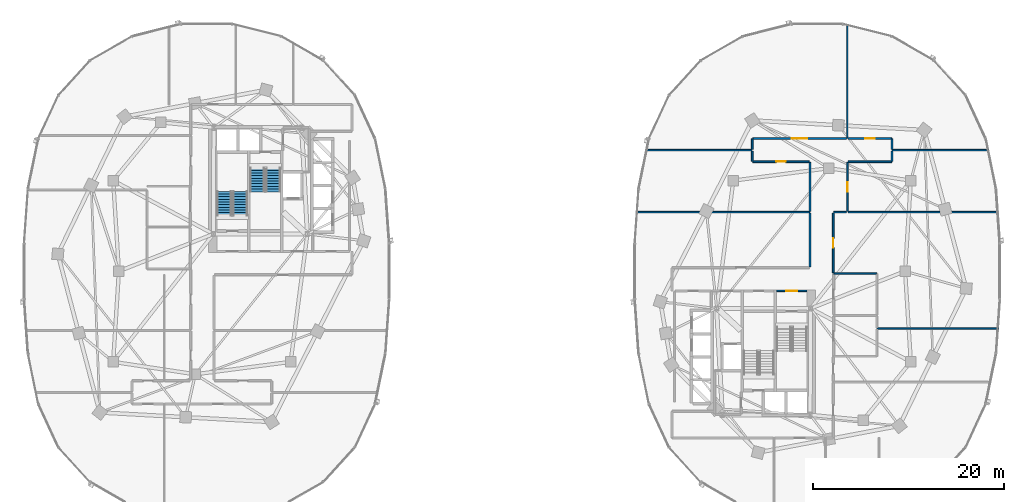
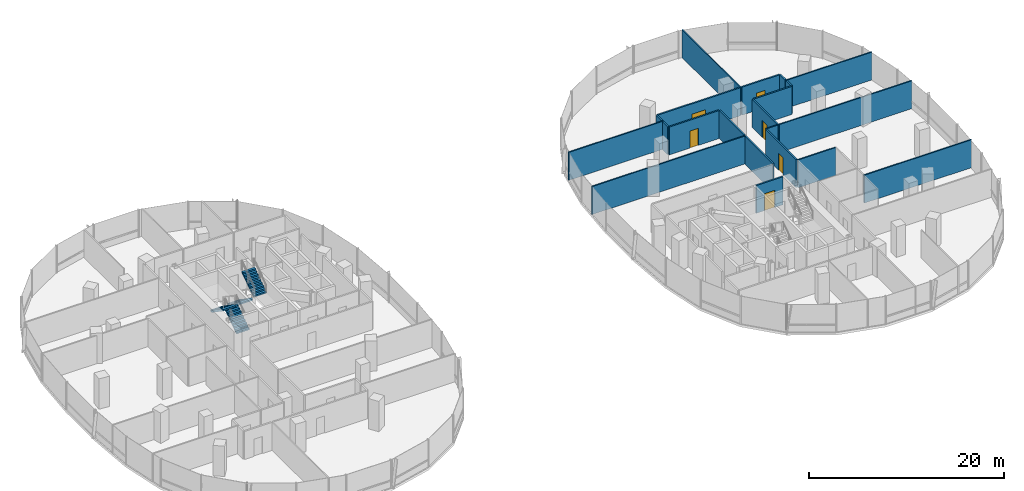
# One storey, part 14 of 22: 21 walls, 6 doors, 4 stair flights, 6 openings, 2 elements without a shape of their own.
"""IFC4 building model written with IfcOpenShell, lengths in metres."""

import ifcopenshell
import ifcopenshell.guid

model = None  # the IFC model being written
_history = None  # IfcOwnerHistory: only IFC2X3 demands one
_inside = {}  # id of a spatial element -> (the spatial element, [elements in it])
_under = {}  # id of a project, library or spatial element -> (it, [spatial elements below it])
_declared = {}  # id of a project -> (the project, [libraries it declares])
_typed = {}  # id of a type object -> (the type object, [elements of that type])
_made_of = {}  # id of a material, layer set ... -> (it, [elements and type objects made of it])


def new_model(schema):
    """Start an empty IFC model of exactly this schema.

    Asked for "IFC4X3", IfcOpenShell would pick the latest addendum, in which some entities
    have other attributes; the version numbers below select the first issue.
    IFC2X3 requires an IfcOwnerHistory on every rooted entity: one is made here for all.
    """
    global model, _history
    if schema == "IFC4X3":
        model = ifcopenshell.file(schema_version=(4, 3, 0, 0))
    else:
        model = ifcopenshell.file(schema=schema)
    _inside.clear()
    _under.clear()
    _declared.clear()
    _typed.clear()
    _made_of.clear()
    _history = None
    if model.schema == "IFC2X3":
        org = make("IfcOrganization", Name="unknown")
        user = make(
            "IfcPersonAndOrganization",
            ThePerson=make("IfcPerson", FamilyName="unknown"),
            TheOrganization=org,
        )
        app = make(
            "IfcApplication",
            ApplicationDeveloper=org,
            Version="unknown",
            ApplicationFullName="unknown",
            ApplicationIdentifier="unknown",
        )
        _history = make(
            "IfcOwnerHistory",
            OwningUser=user,
            OwningApplication=app,
            ChangeAction="ADDED",
            CreationDate=0,
        )
    return model


def make(cls, **values):
    """One entity of the class cls with the attributes given. An attribute that is None is left unset."""
    return model.create_entity(
        cls, **{name: value for name, value in values.items() if value is not None}
    )


def rooted(cls, **values):
    """An entity with a GlobalId (a new one), such as an element, a storey or a relation."""
    return make(cls, GlobalId=ifcopenshell.guid.new(), OwnerHistory=_history, **values)


def si_unit(unit_type, name, prefix=None):
    """IfcSIUnit, for example si_unit("LENGTHUNIT", "METRE", prefix="MILLI")."""
    return make("IfcSIUnit", UnitType=unit_type, Prefix=prefix, Name=name)


def assignment(units):
    """IfcUnitAssignment: the units of a project."""
    return None if units is None else make("IfcUnitAssignment", Units=units)


def point(xyz):
    """IfcCartesianPoint."""
    return None if xyz is None else make("IfcCartesianPoint", Coordinates=xyz)


def direction(xyz):
    """IfcDirection."""
    return None if xyz is None else make("IfcDirection", DirectionRatios=xyz)


def frame(location, z_axis=None, x_axis=None):
    """IfcAxis2Placement3D, a coordinate frame: its origin and axes. An axis left out is left unset."""
    return make(
        "IfcAxis2Placement3D",
        Location=point(location),
        Axis=direction(z_axis),
        RefDirection=direction(x_axis),
    )


def frame_2d(location, x_axis=None):
    """IfcAxis2Placement2D, a coordinate frame in the plane: its origin and x axis."""
    return make(
        "IfcAxis2Placement2D", Location=point(location), RefDirection=direction(x_axis)
    )


def origin():
    """The frame at (0, 0, 0) with its axes left unset."""
    return frame((0.0, 0.0, 0.0))


def place(relative_to, where):
    """IfcLocalPlacement: puts the frame where relative to a parent placement (None: the world)."""
    return make(
        "IfcLocalPlacement", PlacementRelTo=relative_to, RelativePlacement=where
    )


def context(
    kind, dimensions, precision=None, world=None, true_north=None, identifier=None
):
    """IfcGeometricRepresentationContext, for example the 3D "Model" context."""
    return make(
        "IfcGeometricRepresentationContext",
        ContextIdentifier=identifier,
        ContextType=kind,
        CoordinateSpaceDimension=dimensions,
        Precision=precision,
        WorldCoordinateSystem=world,
        TrueNorth=true_north,
    )


def subcontext(parent, identifier, kind, view, scale=None):
    """IfcGeometricRepresentationSubContext, for example "Body" below "Model"."""
    return make(
        "IfcGeometricRepresentationSubContext",
        ContextIdentifier=identifier,
        ContextType=kind,
        ParentContext=parent,
        TargetScale=scale,
        TargetView=view,
    )


def project(units=None, contexts=None):
    """IfcProject with its units and contexts."""
    return rooted(
        "IfcProject",
        Name="project",
        RepresentationContexts=contexts,
        UnitsInContext=assignment(units),
    )


def spatial(cls, under=None, at=None, **own):
    """A site, building, storey or space (cls), placed at a placement, below another one or the project."""
    s = rooted(cls, ObjectPlacement=at, **own)
    if under is not None:
        _under.setdefault(under.id(), (under, []))[1].append(s)
    return s


def polyline(points):
    """IfcPolyline through the points."""
    return make("IfcPolyline", Points=[point(p) for p in points])


def profile(cls, at=None, kind="AREA", **sizes):
    """A parametric profile (cls). Its sizes go by their IFC names, for example OverallWidth=200.0."""
    return make(cls, ProfileType=kind, Position=at, **sizes)


def rectangle(**sizes):
    """IfcRectangleProfileDef."""
    return profile("IfcRectangleProfileDef", **sizes)


def outline(outer, holes=None, kind="AREA"):
    """IfcArbitraryClosedProfileDef: a profile drawn as a closed curve; with holes, ...WithVoids."""
    if holes is None:
        return make("IfcArbitraryClosedProfileDef", ProfileType=kind, OuterCurve=outer)
    return make(
        "IfcArbitraryProfileDefWithVoids",
        ProfileType=kind,
        OuterCurve=outer,
        InnerCurves=holes,
    )


def extrude(swept, where, along, depth):
    """IfcExtrudedAreaSolid: the profile swept, set in the frame where, extruded along a direction by depth."""
    return make(
        "IfcExtrudedAreaSolid",
        SweptArea=swept,
        Position=where,
        ExtrudedDirection=direction(along),
        Depth=depth,
    )


def shape(context_of_items, identifier, shape_type, items):
    """IfcShapeRepresentation: the items that make up one representation, for example the "Body"."""
    return make(
        "IfcShapeRepresentation",
        ContextOfItems=context_of_items,
        RepresentationIdentifier=identifier,
        RepresentationType=shape_type,
        Items=items,
    )


def material(Name=None, Category=None):
    """IfcMaterial."""
    return make("IfcMaterial", Name=Name, Category=Category)


def layer(
    of_material, thickness, ventilated=None, Name=None, Category=None, Priority=None
):
    """IfcMaterialLayer: one layer of a wall or slab, of a material (None: an air gap)."""
    return make(
        "IfcMaterialLayer",
        Material=of_material,
        LayerThickness=thickness,
        IsVentilated=ventilated,
        Name=Name,
        Category=Category,
        Priority=Priority,
    )


def layer_set(layers, Name=None):
    """IfcMaterialLayerSet."""
    return make("IfcMaterialLayerSet", MaterialLayers=layers, LayerSetName=Name)


def made_of(thing, what):
    """Note that an element or type object is made of a material, layer set ...; save() writes the relation."""
    if what is not None:
        _made_of.setdefault(what.id(), (what, []))[1].append(thing)
    return thing


def type_object(cls, material=None, **own):
    """A type object (cls), such as IfcWallType, which elements share."""
    return made_of(rooted(cls, **own), material)


def element(
    cls,
    number,
    at=None,
    inside=None,
    cuts=None,
    type_object=None,
    material=None,
    context=None,
    identifier="Body",
    shape_type=None,
    held_by="IfcProductDefinitionShape",
    body=None,
    shapes=None,
    **own,
):
    """One element of the class cls, such as IfcWall. Its Tag is "e" and its number.

    at: its placement. inside: the storey or other place that contains it. cuts: it is an
    opening in that element (IfcRelVoidsElement). A single representation is given by context,
    identifier, shape_type and body (its items); several are given by shapes. held_by: the class
    of the entity that holds the representations. save() writes the other relations.
    """
    e = rooted(cls, Tag="e%d" % number, ObjectPlacement=at, **own)
    if body is not None:
        shapes = [shape(context, identifier, shape_type, body)]
    if shapes is not None:
        e.Representation = make(held_by, Representations=shapes)
    if inside is not None:
        _inside.setdefault(inside.id(), (inside, []))[1].append(e)
    if cuts is not None:
        rooted(
            "IfcRelVoidsElement", RelatingBuildingElement=cuts, RelatedOpeningElement=e
        )
    if type_object is not None:
        _typed.setdefault(type_object.id(), (type_object, []))[1].append(e)
    return made_of(e, material)


def fill(opening, filler):
    """IfcRelFillsElement: the door or window that sits in an opening."""
    return rooted(
        "IfcRelFillsElement",
        RelatingOpeningElement=opening,
        RelatedBuildingElement=filler,
    )


def aggregate(whole, parts):
    """IfcRelAggregates: a whole, such as a stair, and the parts it consists of."""
    return rooted("IfcRelAggregates", RelatingObject=whole, RelatedObjects=parts)


def save(model, path):
    """Write the relations noted so far, then the file.

    IfcRelAggregates (storeys below a building ...), IfcRelContainedInSpatialStructure (elements
    in a storey), IfcRelDefinesByType, IfcRelAssociatesMaterial and IfcRelDeclares: one each for
    every whole, place, type object, material and project.
    """
    for whole, parts in _under.values():
        aggregate(whole, parts)
    for where, things in _inside.values():
        rooted(
            "IfcRelContainedInSpatialStructure",
            RelatedElements=things,
            RelatingStructure=where,
        )
    for kind, things in _typed.values():
        rooted("IfcRelDefinesByType", RelatedObjects=things, RelatingType=kind)
    for what, things in _made_of.values():
        rooted("IfcRelAssociatesMaterial", RelatedObjects=things, RelatingMaterial=what)
    for by, libraries in _declared.values():
        rooted("IfcRelDeclares", RelatingContext=by, RelatedDefinitions=libraries)
    model.write(path)


model = new_model("IFC4")

# Units and contexts
model_context = context("Model", 3, precision=1e-05, world=origin(), true_north=direction((0.0, 1.0)))
body_context = subcontext(model_context, "Body", "Model", "MODEL_VIEW")
ifc_project = project(units=[si_unit("LENGTHUNIT", "METRE"), si_unit("AREAUNIT", "SQUARE_METRE"), si_unit("VOLUMEUNIT", "CUBIC_METRE"), si_unit("PLANEANGLEUNIT", "RADIAN"), si_unit("MASSUNIT", "GRAM", prefix="KILO"), si_unit("THERMODYNAMICTEMPERATUREUNIT", "KELVIN"), si_unit("POWERUNIT", "WATT")], contexts=[model_context])

# Site, building, storey
site_placement = place(None, origin())
site = spatial("IfcSite", under=ifc_project, at=site_placement, CompositionType="ELEMENT")
building_placement = place(site_placement, origin())
building = spatial("IfcBuilding", under=site, at=building_placement, Name="Cundina Bronze Exchange", CompositionType="ELEMENT")
storey_placement = place(building_placement, frame((0.0, 0.0, 43.0)))
storey = spatial("IfcBuildingStorey", under=building, at=storey_placement, Name="L10", CompositionType="ELEMENT", Elevation=43.0)

# Wall, opening, door
ifc_material_1 = material(Name="Gypsum Fireboard Partition EI120")
ifc_layer_1 = layer(ifc_material_1, 0.179931640625, Name="Gypsum Fireboard Partition EI120")
ifc_layer_set_1 = layer_set([ifc_layer_1], Name="Gypsum Fireboard Partition EI120")
wall_type_1 = type_object("IfcWallType", Name="WL-COR-180", PredefinedType="PARTITIONING", material=ifc_layer_set_1)
wall_1_placement = place(storey_placement, frame((27.739990234375, -2.06005859375, 0.0), z_axis=(0.0, 0.0, 1.0), x_axis=(1.0, 0.0, 0.0)))
wall_1 = element("IfcWall", 1, at=wall_1_placement, inside=storey, type_object=wall_type_1, Name="L10 E Stair Vestibule Exit Wall", PredefinedType="PARTITIONING", context=body_context, shape_type="SweptSolid", body=[
    extrude(rectangle(XDim=3.159912109375, YDim=0.179931640625, at=frame_2d((1.580078125, 0.0))), origin(), (0.0, 0.0, 1.0), 3.5),
])
opening_1_placement = place(wall_1_placement, frame((0.97998046875, 0.0, 0.0)))
opening_1 = element("IfcOpeningElement", 2, at=opening_1_placement, cuts=wall_1, Name="Opening DF-01", PredefinedType="OPENING", context=body_context, shape_type="SweptSolid", body=[
    extrude(rectangle(XDim=1.199951171875, YDim=2.14990234375, at=frame_2d((0.60009765625, 1.074951171875))), frame((0.0, 0.099853515625, 0.0), z_axis=(0.0, -1.0, 0.0), x_axis=(1.0, 0.0, 0.0)), (0.0, 0.0, 1.0), 0.199951171875),
])
ifc_material_2 = material(Name="Steel ASTM A36 Painted", Category="steel")
door_type_1 = type_object("IfcDoorType", Name="DR-FFL-1200", OperationType="NOTDEFINED", PredefinedType="DOOR", material=ifc_material_2)
door_1_placement = place(opening_1_placement, origin())
door_1 = element("IfcDoor", 3, at=door_1_placement, inside=storey, type_object=door_type_1, Name="L10 E Stair Vestibule Door", OperationType="SINGLE_SWING_RIGHT", OverallHeight=2.14990234375, OverallWidth=1.199951171875, PredefinedType="DOOR", context=body_context, shape_type="SweptSolid", body=[
    extrude(rectangle(XDim=1.199951171875, YDim=2.14990234375, at=frame_2d((0.60009765625, 1.074951171875))), frame((0.0, 0.02490234375, 0.0), z_axis=(0.0, -1.0, 0.0), x_axis=(1.0, 0.0, 0.0)), (0.0, 0.0, 1.0), 0.050048828125),
])
fill(opening_1, door_1)

# Wall
wall_2_placement = place(storey_placement, frame((31.22998046875, 6.10009765625, 0.0), z_axis=(0.0, 0.0, 1.0), x_axis=(0.0, -1.0, 0.0)))
element("IfcWall", 4, at=wall_2_placement, inside=storey, type_object=wall_type_1, Name="L10 Interior Partition 082", PredefinedType="PARTITIONING", context=body_context, shape_type="SweptSolid", body=[
    extrude(rectangle(XDim=5.650146484375, YDim=0.179931640625, at=frame_2d((2.8251953125, 0.0))), origin(), (0.0, 0.0, 1.0), 3.5),
])

# Wall, opening, door
wall_3_placement = place(storey_placement, frame((33.669921875, -0.15869140625, 0.0), z_axis=(0.0, 0.0, 1.0), x_axis=(0.0, 1.0, 0.0)))
wall_3 = element("IfcWall", 5, at=wall_3_placement, inside=storey, type_object=wall_type_1, Name="L10 Interior Partition 086", PredefinedType="PARTITIONING", context=body_context, shape_type="SweptSolid", body=[
    extrude(rectangle(XDim=6.2587890625, YDim=0.179931640625, at=frame_2d((3.12939453125, 0.0))), origin(), (0.0, 0.0, 1.0), 3.5),
])
opening_2_placement = place(wall_3_placement, frame((2.62939453125, 0.0, 0.0)))
opening_2 = element("IfcOpeningElement", 6, at=opening_2_placement, cuts=wall_3, Name="Opening DO-01", PredefinedType="OPENING", context=body_context, shape_type="SweptSolid", body=[
    extrude(rectangle(XDim=1.0, YDim=2.14990234375, at=frame_2d((0.5, 1.074951171875))), frame((0.0, 0.099853515625, 0.0), z_axis=(0.0, -1.0, 0.0), x_axis=(1.0, 0.0, 0.0)), (0.0, 0.0, 1.0), 0.199951171875),
])
ifc_material_3 = material(Name="Solid Andean Oak Timber Grade A", Category="wood")
door_type_2 = type_object("IfcDoorType", Name="DR-OFF-1000", OperationType="NOTDEFINED", PredefinedType="DOOR", material=ifc_material_3)
door_2_placement = place(opening_2_placement, origin())
door_2 = element("IfcDoor", 7, at=door_2_placement, inside=storey, type_object=door_type_2, Name="L10 Interior Door 086", OperationType="SINGLE_SWING_RIGHT", OverallHeight=2.14990234375, OverallWidth=1.0, PredefinedType="DOOR", context=body_context, shape_type="SweptSolid", body=[
    extrude(rectangle(XDim=1.0, YDim=2.14990234375, at=frame_2d((0.5, 1.074951171875))), frame((0.0, 0.02490234375, 0.0), z_axis=(0.0, -1.0, 0.0), x_axis=(1.0, 0.0, 0.0)), (0.0, 0.0, 1.0), 0.050048828125),
])
fill(opening_2, door_2)

wall_4_placement = place(storey_placement, frame((25.221435546875, 11.47998046875, 0.0), z_axis=(0.0, 0.0, 1.0), x_axis=(1.0, 0.0, 0.0)))
wall_4 = element("IfcWall", 8, at=wall_4_placement, inside=storey, type_object=wall_type_1, Name="L10 Interior Partition 087", PredefinedType="PARTITIONING", context=body_context, shape_type="SweptSolid", body=[
    extrude(rectangle(XDim=5.928466796875, YDim=0.179931640625, at=frame_2d((2.96435546875, 0.0))), origin(), (0.0, 0.0, 1.0), 3.5),
])
opening_3_placement = place(wall_4_placement, frame((2.464111328125, 0.0, 0.0)))
opening_3 = element("IfcOpeningElement", 9, at=opening_3_placement, cuts=wall_4, Name="Opening DO-01", PredefinedType="OPENING", context=body_context, shape_type="SweptSolid", body=[
    extrude(rectangle(XDim=1.0, YDim=2.14990234375, at=frame_2d((0.5, 1.074951171875))), frame((0.0, 0.099853515625, 0.0), z_axis=(0.0, -1.0, 0.0), x_axis=(1.0, 0.0, 0.0)), (0.0, 0.0, 1.0), 0.199951171875),
])
door_3_placement = place(opening_3_placement, origin())
door_3 = element("IfcDoor", 10, at=door_3_placement, inside=storey, type_object=door_type_2, Name="L10 Interior Door 087", OperationType="SINGLE_SWING_RIGHT", OverallHeight=2.14990234375, OverallWidth=1.0, PredefinedType="DOOR", context=body_context, shape_type="SweptSolid", body=[
    extrude(rectangle(XDim=1.0, YDim=2.14990234375, at=frame_2d((0.5, 1.074951171875))), frame((0.0, 0.02490234375, 0.0), z_axis=(0.0, -1.0, 0.0), x_axis=(1.0, 0.0, 0.0)), (0.0, 0.0, 1.0), 0.050048828125),
])
fill(opening_3, door_3)

# Walls
wall_5_placement = place(storey_placement, frame((31.22998046875, 11.39990234375, 0.0), z_axis=(0.0, 0.0, 1.0), x_axis=(0.0, -1.0, 0.0)))
element("IfcWall", 11, at=wall_5_placement, inside=storey, type_object=wall_type_1, Name="L10 Interior Partition 088", PredefinedType="PARTITIONING", context=body_context, shape_type="SweptSolid", body=[
    extrude(rectangle(XDim=5.119873046875, YDim=0.179931640625, at=frame_2d((2.56005859375, 0.0))), origin(), (0.0, 0.0, 1.0), 3.5),
])
wall_6_placement = place(storey_placement, frame((25.179931640625, 12.60009765625, 0.0), z_axis=(0.0, 0.0, 1.0), x_axis=(0.0, -1.0, 0.0)))
element("IfcWall", 12, at=wall_6_placement, inside=storey, type_object=wall_type_1, Name="L10 Interior Partition 089", PredefinedType="PARTITIONING", context=body_context, shape_type="SweptSolid", body=[
    extrude(rectangle(XDim=1.07861328125, YDim=0.179931640625, at=frame_2d((0.539306640625, 0.0))), origin(), (0.0, 0.0, 1.0), 3.5),
])

# Wall, opening, door
wall_7_placement = place(storey_placement, frame((35.14990234375, 6.280029296875, 0.0), z_axis=(0.0, 0.0, 1.0), x_axis=(0.0, 1.0, 0.0)))
wall_7 = element("IfcWall", 13, at=wall_7_placement, inside=storey, type_object=wall_type_1, Name="L10 Interior Partition 090", PredefinedType="PARTITIONING", context=body_context, shape_type="SweptSolid", body=[
    extrude(rectangle(XDim=5.119873046875, YDim=0.179931640625, at=frame_2d((2.56005859375, 0.0))), origin(), (0.0, 0.0, 1.0), 3.5),
])
opening_4_placement = place(wall_7_placement, frame((2.06005859375, 0.0, 0.0)))
opening_4 = element("IfcOpeningElement", 14, at=opening_4_placement, cuts=wall_7, Name="Opening DO-01", PredefinedType="OPENING", context=body_context, shape_type="SweptSolid", body=[
    extrude(rectangle(XDim=1.0, YDim=2.14990234375, at=frame_2d((0.5, 1.074951171875))), frame((0.0, 0.099853515625, 0.0), z_axis=(0.0, -1.0, 0.0), x_axis=(1.0, 0.0, 0.0)), (0.0, 0.0, 1.0), 0.199951171875),
])
door_4_placement = place(opening_4_placement, origin())
door_4 = element("IfcDoor", 15, at=door_4_placement, inside=storey, type_object=door_type_2, Name="L10 Interior Door 090", OperationType="SINGLE_SWING_RIGHT", OverallHeight=2.14990234375, OverallWidth=1.0, PredefinedType="DOOR", context=body_context, shape_type="SweptSolid", body=[
    extrude(rectangle(XDim=1.0, YDim=2.14990234375, at=frame_2d((0.5, 1.074951171875))), frame((0.0, 0.02490234375, 0.0), z_axis=(0.0, -1.0, 0.0), x_axis=(1.0, 0.0, 0.0)), (0.0, 0.0, 1.0), 0.050048828125),
])
fill(opening_4, door_4)

# Walls
wall_8_placement = place(storey_placement, frame((35.22998046875, 11.47998046875, 0.0), z_axis=(0.0, 0.0, 1.0), x_axis=(1.0, 0.0, 0.0)))
element("IfcWall", 16, at=wall_8_placement, inside=storey, type_object=wall_type_1, Name="L10 Interior Partition 091", PredefinedType="PARTITIONING", context=body_context, shape_type="SweptSolid", body=[
    extrude(rectangle(XDim=4.548583984375, YDim=0.179931640625, at=frame_2d((2.2744140625, 0.0))), origin(), (0.0, 0.0, 1.0), 3.5),
])
wall_9_placement = place(storey_placement, frame((39.820068359375, 11.521484375, 0.0), z_axis=(0.0, 0.0, 1.0), x_axis=(0.0, 1.0, 0.0)))
element("IfcWall", 17, at=wall_9_placement, inside=storey, type_object=wall_type_1, Name="L10 Interior Partition 092", PredefinedType="PARTITIONING", context=body_context, shape_type="SweptSolid", body=[
    extrude(rectangle(XDim=1.07861328125, YDim=0.179931640625, at=frame_2d((0.539306640625, 0.0))), origin(), (0.0, 0.0, 1.0), 3.5),
])

# Wall, opening, door
wall_10_placement = place(storey_placement, frame((39.778564453125, 13.919921875, 0.0), z_axis=(0.0, 0.0, 1.0), x_axis=(-1.0, 0.0, 0.0)))
wall_10 = element("IfcWall", 18, at=wall_10_placement, inside=storey, type_object=wall_type_1, Name="L10 Interior Partition 093", PredefinedType="PARTITIONING", context=body_context, shape_type="SweptSolid", body=[
    extrude(rectangle(XDim=4.548583984375, YDim=0.179931640625, at=frame_2d((2.2744140625, 0.0))), origin(), (0.0, 0.0, 1.0), 3.5),
])
opening_5_placement = place(wall_10_placement, frame((1.7744140625, 0.0, 0.0)))
opening_5 = element("IfcOpeningElement", 19, at=opening_5_placement, cuts=wall_10, Name="Opening DO-01", PredefinedType="OPENING", context=body_context, shape_type="SweptSolid", body=[
    extrude(rectangle(XDim=1.0, YDim=2.14990234375, at=frame_2d((0.5, 1.074951171875))), frame((0.0, 0.099853515625, 0.0), z_axis=(0.0, -1.0, 0.0), x_axis=(1.0, 0.0, 0.0)), (0.0, 0.0, 1.0), 0.199951171875),
])
door_5_placement = place(opening_5_placement, origin())
door_5 = element("IfcDoor", 20, at=door_5_placement, inside=storey, type_object=door_type_2, Name="L10 Interior Door 093", OperationType="SINGLE_SWING_RIGHT", OverallHeight=2.14990234375, OverallWidth=1.0, PredefinedType="DOOR", context=body_context, shape_type="SweptSolid", body=[
    extrude(rectangle(XDim=1.0, YDim=2.14990234375, at=frame_2d((0.5, 1.074951171875))), frame((0.0, 0.02490234375, 0.0), z_axis=(0.0, -1.0, 0.0), x_axis=(1.0, 0.0, 0.0)), (0.0, 0.0, 1.0), 0.050048828125),
])
fill(opening_5, door_5)

# Wall
wall_11_placement = place(storey_placement, frame((39.820068359375, 12.780029296875, 0.0), z_axis=(0.0, 0.0, 1.0), x_axis=(0.0, 1.0, 0.0)))
element("IfcWall", 21, at=wall_11_placement, inside=storey, type_object=wall_type_1, Name="L10 Interior Partition 094", PredefinedType="PARTITIONING", context=body_context, shape_type="SweptSolid", body=[
    extrude(rectangle(XDim=1.098388671875, YDim=0.179931640625, at=frame_2d((0.54931640625, 0.0))), origin(), (0.0, 0.0, 1.0), 3.5),
])

# Wall, opening, door
wall_12_placement = place(storey_placement, frame((35.050048828125, 13.919921875, 0.0), z_axis=(0.0, 0.0, 1.0), x_axis=(-1.0, 0.0, 0.0)))
wall_12 = element("IfcWall", 22, at=wall_12_placement, inside=storey, type_object=wall_type_1, Name="L10 Interior Partition 095", PredefinedType="PARTITIONING", context=body_context, shape_type="SweptSolid", body=[
    extrude(rectangle(XDim=9.82861328125, YDim=0.179931640625, at=frame_2d((4.914306640625, 0.0))), origin(), (0.0, 0.0, 1.0), 3.5),
])
opening_6_placement = place(wall_12_placement, frame((4.1142578125, 0.0, 0.0)))
opening_6 = element("IfcOpeningElement", 23, at=opening_6_placement, cuts=wall_12, Name="Opening DO-02", PredefinedType="OPENING", context=body_context, shape_type="SweptSolid", body=[
    extrude(rectangle(XDim=1.60009765625, YDim=2.199951171875, at=frame_2d((0.800048828125, 1.10009765625))), frame((0.0, 0.099853515625, 0.0), z_axis=(0.0, -1.0, 0.0), x_axis=(1.0, 0.0, 0.0)), (0.0, 0.0, 1.0), 0.199951171875),
])
door_type_3 = type_object("IfcDoorType", Name="DR-TRD-1600", OperationType="NOTDEFINED", PredefinedType="DOOR", material=ifc_material_3)
door_6_placement = place(opening_6_placement, origin())
door_6 = element("IfcDoor", 24, at=door_6_placement, inside=storey, type_object=door_type_3, Name="L10 Interior Door 095", OperationType="SINGLE_SWING_RIGHT", OverallHeight=2.199951171875, OverallWidth=1.60009765625, PredefinedType="DOOR", context=body_context, shape_type="SweptSolid", body=[
    extrude(rectangle(XDim=1.60009765625, YDim=2.199951171875, at=frame_2d((0.800048828125, 1.10009765625))), frame((0.0, 0.02490234375, 0.0), z_axis=(0.0, -1.0, 0.0), x_axis=(1.0, 0.0, 0.0)), (0.0, 0.0, 1.0), 0.050048828125),
])
fill(opening_6, door_6)

# Walls
wall_13_placement = place(storey_placement, frame((25.179931640625, 13.87841796875, 0.0), z_axis=(0.0, 0.0, 1.0), x_axis=(0.0, -1.0, 0.0)))
element("IfcWall", 25, at=wall_13_placement, inside=storey, type_object=wall_type_1, Name="L10 Interior Partition 096", PredefinedType="PARTITIONING", context=body_context, shape_type="SweptSolid", body=[
    extrude(rectangle(XDim=1.098388671875, YDim=0.179931640625, at=frame_2d((0.54931640625, 0.0))), origin(), (0.0, 0.0, 1.0), 3.5),
])
ifc_material_4 = material(Name="Gypsum Acoustic Partition EI60")
ifc_layer_2 = layer(ifc_material_4, 0.125, Name="Gypsum Acoustic Partition EI60")
ifc_layer_set_2 = layer_set([ifc_layer_2], Name="Gypsum Acoustic Partition EI60")
wall_type_2 = type_object("IfcWallType", Name="WL-OFF-125", PredefinedType="PARTITIONING", material=ifc_layer_set_2)
wall_14_placement = place(storey_placement, frame((35.139892578125, 13.949951171875, 0.0), z_axis=(0.0, 0.0, 1.0), x_axis=(0.0, 1.0, 0.0)))
element("IfcWall", 26, at=wall_14_placement, inside=storey, type_object=wall_type_2, Name="L10 Interior Partition 065", PredefinedType="PARTITIONING", context=body_context, shape_type="SweptSolid", body=[
    extrude(rectangle(XDim=11.924560546875, YDim=0.125, at=frame_2d((5.96240234375, 0.0))), origin(), (0.0, 0.0, 1.0), 3.5),
])
ifc_layer_3 = layer(ifc_material_4, 0.14990234375, Name="Gypsum Acoustic Partition EI60")
ifc_layer_set_3 = layer_set([ifc_layer_3], Name="Gypsum Acoustic Partition EI60")
wall_type_3 = type_object("IfcWallType", Name="WL-TEN-150", PredefinedType="PARTITIONING", material=ifc_layer_set_3)
wall_15_placement = place(storey_placement, frame((13.021484375, 6.18994140625, 0.0), z_axis=(0.0, 0.0, 1.0), x_axis=(1.0, 0.0, 0.0)))
element("IfcWall", 27, at=wall_15_placement, inside=storey, type_object=wall_type_3, Name="L10 Interior Partition 066", PredefinedType="PARTITIONING", context=body_context, shape_type="SweptSolid", body=[
    extrude(rectangle(XDim=18.178466796875, YDim=0.14990234375, at=frame_2d((9.08935546875, 0.0))), origin(), (0.0, 0.0, 1.0), 3.5),
])
wall_16_placement = place(storey_placement, frame((33.699951171875, 6.18994140625, 0.0), z_axis=(0.0, 0.0, 1.0), x_axis=(1.0, 0.0, 0.0)))
element("IfcWall", 28, at=wall_16_placement, inside=storey, type_object=wall_type_3, Name="L10 Interior Partition 067", PredefinedType="PARTITIONING", context=body_context, shape_type="SweptSolid", body=[
    extrude(rectangle(XDim=1.35498046875, YDim=0.14990234375, at=frame_2d((0.677490234375, 0.0))), origin(), (0.0, 0.0, 1.0), 3.5),
])
wall_17_placement = place(storey_placement, frame((35.22509765625, 6.18994140625, 0.0), z_axis=(0.0, 0.0, 1.0), x_axis=(1.0, 0.0, 0.0)))
element("IfcWall", 29, at=wall_17_placement, inside=storey, type_object=wall_type_3, Name="L10 Interior Partition 068", PredefinedType="PARTITIONING", context=body_context, shape_type="SweptSolid", body=[
    extrude(rectangle(XDim=15.75341796875, YDim=0.14990234375, at=frame_2d((7.876708984375, 0.0))), origin(), (0.0, 0.0, 1.0), 3.5),
])
wall_18_placement = place(storey_placement, frame((14.02587890625, 12.68994140625, 0.0), z_axis=(0.0, 0.0, 1.0), x_axis=(1.0, 0.0, 0.0)))
element("IfcWall", 30, at=wall_18_placement, inside=storey, type_object=wall_type_3, Name="L10 Interior Partition 069", PredefinedType="PARTITIONING", context=body_context, shape_type="SweptSolid", body=[
    extrude(rectangle(XDim=11.1240234375, YDim=0.14990234375, at=frame_2d((5.56201171875, 0.0))), origin(), (0.0, 0.0, 1.0), 3.5),
])
wall_19_placement = place(storey_placement, frame((39.85009765625, 12.68994140625, 0.0), z_axis=(0.0, 0.0, 1.0), x_axis=(1.0, 0.0, 0.0)))
element("IfcWall", 31, at=wall_19_placement, inside=storey, type_object=wall_type_3, Name="L10 Interior Partition 070", PredefinedType="PARTITIONING", context=body_context, shape_type="SweptSolid", body=[
    extrude(rectangle(XDim=10.1240234375, YDim=0.14990234375, at=frame_2d((5.06201171875, 0.0))), origin(), (0.0, 0.0, 1.0), 3.5),
])
wall_20_placement = place(storey_placement, frame((38.27001953125, -6.02001953125, 0.0), z_axis=(0.0, 0.0, 1.0), x_axis=(1.0, 0.0, 0.0)))
element("IfcWall", 32, at=wall_20_placement, inside=storey, type_object=wall_type_3, Name="L10 Interior Partition 071", PredefinedType="PARTITIONING", context=body_context, shape_type="SweptSolid", body=[
    extrude(rectangle(XDim=12.720458984375, YDim=0.14990234375, at=frame_2d((6.3603515625, 0.0))), origin(), (0.0, 0.0, 1.0), 3.5),
])
ifc_material_5 = material(Name="Moisture-Resistant Masonry Block Grade M15", Category="masonry")
ifc_layer_4 = layer(ifc_material_5, 0.139892578125, Name="Moisture-Resistant Masonry Block Grade M15", Category="masonry")
ifc_layer_set_4 = layer_set([ifc_layer_4], Name="Moisture-Resistant Masonry Block Grade M15")
wall_type_4 = type_object("IfcWallType", Name="WL-WET-140", PredefinedType="PARTITIONING", material=ifc_layer_set_4)
wall_21_placement = place(storey_placement, frame((33.739990234375, -0.25, 0.0), z_axis=(0.0, 0.0, 1.0), x_axis=(1.0, 0.0, 0.0)))
element("IfcWall", 33, at=wall_21_placement, inside=storey, type_object=wall_type_4, Name="L10 Interior Partition 060", PredefinedType="PARTITIONING", context=body_context, shape_type="SweptSolid", body=[
    extrude(rectangle(XDim=4.47998046875, YDim=0.139892578125, at=frame_2d((2.239990234375, 0.0))), origin(), (0.0, 0.0, 1.0), 3.5),
])

# Stair, stair flights
ifc_material_6 = material(Name="Concrete C40/50", Category="concrete")
stair_type = type_object("IfcStairType", Name="STR-TRD-380", PredefinedType="HALF_TURN_STAIR", material=ifc_material_6)
stair_1_placement = place(storey_placement, origin())
stair_1 = element("IfcStair", 34, at=stair_1_placement, inside=storey, type_object=stair_type, Name="L10 Smokeproof Exit Stair W1", PredefinedType="HALF_TURN_STAIR")
stair_flight_type = type_object("IfcStairFlightType", Name="FLG-TRD-190", PredefinedType="STRAIGHT", material=ifc_material_6)
stair_flight_1_placement = place(storey_placement, frame((-28.489990234375, 5.85009765625, 0.0), z_axis=(0.0, 0.0, 1.0), x_axis=(0.0, 1.0, 0.0)))
stair_flight_1 = element("IfcStairFlight", 35, at=stair_flight_1_placement, type_object=stair_flight_type, Name="ST-W1 flight 1", NumberOfRisers=10, NumberOfTreads=9, PredefinedType="STRAIGHT", RiserHeight=0.19, TreadLength=0.28, context=body_context, shape_type="SweptSolid", body=[
    extrude(outline(polyline([(0.0, 0.0), (0.0, 0.18994140625), (0.280029296875, 0.18994140625), (0.280029296875, 0.3798828125), (0.56005859375, 0.3798828125), (0.56005859375, 0.570068359375), (0.840087890625, 0.570068359375), (0.840087890625, 0.760009765625), (1.1201171875, 0.760009765625), (1.1201171875, 0.949951171875), (1.39990234375, 0.949951171875), (1.39990234375, 1.139892578125), (1.679931640625, 1.139892578125), (1.679931640625, 1.330078125), (1.9599609375, 1.330078125), (1.9599609375, 1.52001953125), (2.239990234375, 1.52001953125), (2.239990234375, 1.7099609375), (2.52001953125, 1.7099609375), (2.52001953125, 1.89990234375), (2.52001953125, 1.52880859375), (0.266845703125, 0.0), (0.0, 0.0)])), frame((0.0, 0.75, 0.0), z_axis=(0.0, -1.0, 0.0), x_axis=(1.0, 0.0, 0.0)), (0.0, 0.0, 1.0), 1.5),
])
stair_flight_2_placement = place(storey_placement, frame((-30.14990234375, 8.3701171875, 1.89990234375), z_axis=(0.0, 0.0, 1.0), x_axis=(0.0, -1.0, 0.0)))
stair_flight_2 = element("IfcStairFlight", 36, at=stair_flight_2_placement, type_object=stair_flight_type, Name="ST-W1 flight 2", NumberOfRisers=10, NumberOfTreads=9, PredefinedType="STRAIGHT", RiserHeight=0.19, TreadLength=0.28, context=body_context, shape_type="SweptSolid", body=[
    extrude(outline(polyline([(0.0, 0.0), (0.0, 0.18994140625), (0.280029296875, 0.18994140625), (0.280029296875, 0.3798828125), (0.56005859375, 0.3798828125), (0.56005859375, 0.570068359375), (0.840087890625, 0.570068359375), (0.840087890625, 0.760009765625), (1.1201171875, 0.760009765625), (1.1201171875, 0.949951171875), (1.39990234375, 0.949951171875), (1.39990234375, 1.139892578125), (1.679931640625, 1.139892578125), (1.679931640625, 1.330078125), (1.9599609375, 1.330078125), (1.9599609375, 1.52001953125), (2.239990234375, 1.52001953125), (2.239990234375, 1.7099609375), (2.52001953125, 1.7099609375), (2.52001953125, 1.89990234375), (2.52001953125, 1.52880859375), (0.266845703125, 0.0), (0.0, 0.0)])), frame((0.0, 0.75, 0.0), z_axis=(0.0, -1.0, 0.0), x_axis=(1.0, 0.0, 0.0)), (0.0, 0.0, 1.0), 1.5),
])
aggregate(stair_1, [stair_flight_1, stair_flight_2])

stair_2_placement = place(storey_placement, origin())
stair_2 = element("IfcStair", 37, at=stair_2_placement, inside=storey, type_object=stair_type, Name="L10 Smokeproof Exit Stair W2", PredefinedType="HALF_TURN_STAIR")
stair_flight_3_placement = place(storey_placement, frame((-26.68994140625, 10.85009765625, 0.0), z_axis=(0.0, 0.0, 1.0), x_axis=(0.0, -1.0, 0.0)))
stair_flight_3 = element("IfcStairFlight", 38, at=stair_flight_3_placement, type_object=stair_flight_type, Name="ST-W2 flight 1", NumberOfRisers=10, NumberOfTreads=9, PredefinedType="STRAIGHT", RiserHeight=0.19, TreadLength=0.28, context=body_context, shape_type="SweptSolid", body=[
    extrude(outline(polyline([(0.0, 0.0), (0.0, 0.18994140625), (0.280029296875, 0.18994140625), (0.280029296875, 0.3798828125), (0.56005859375, 0.3798828125), (0.56005859375, 0.570068359375), (0.840087890625, 0.570068359375), (0.840087890625, 0.760009765625), (1.1201171875, 0.760009765625), (1.1201171875, 0.949951171875), (1.39990234375, 0.949951171875), (1.39990234375, 1.139892578125), (1.679931640625, 1.139892578125), (1.679931640625, 1.330078125), (1.9599609375, 1.330078125), (1.9599609375, 1.52001953125), (2.239990234375, 1.52001953125), (2.239990234375, 1.7099609375), (2.52001953125, 1.7099609375), (2.52001953125, 1.89990234375), (2.52001953125, 1.52880859375), (0.266845703125, 0.0), (0.0, 0.0)])), frame((0.0, 0.75, 0.0), z_axis=(0.0, -1.0, 0.0), x_axis=(1.0, 0.0, 0.0)), (0.0, 0.0, 1.0), 1.5),
])
stair_flight_4_placement = place(storey_placement, frame((-25.030029296875, 8.330078125, 1.89990234375), z_axis=(0.0, 0.0, 1.0), x_axis=(0.0, 1.0, 0.0)))
stair_flight_4 = element("IfcStairFlight", 39, at=stair_flight_4_placement, type_object=stair_flight_type, Name="ST-W2 flight 2", NumberOfRisers=10, NumberOfTreads=9, PredefinedType="STRAIGHT", RiserHeight=0.19, TreadLength=0.28, context=body_context, shape_type="SweptSolid", body=[
    extrude(outline(polyline([(0.0, 0.0), (0.0, 0.18994140625), (0.280029296875, 0.18994140625), (0.280029296875, 0.3798828125), (0.56005859375, 0.3798828125), (0.56005859375, 0.570068359375), (0.840087890625, 0.570068359375), (0.840087890625, 0.760009765625), (1.1201171875, 0.760009765625), (1.1201171875, 0.949951171875), (1.39990234375, 0.949951171875), (1.39990234375, 1.139892578125), (1.679931640625, 1.139892578125), (1.679931640625, 1.330078125), (1.9599609375, 1.330078125), (1.9599609375, 1.52001953125), (2.239990234375, 1.52001953125), (2.239990234375, 1.7099609375), (2.52001953125, 1.7099609375), (2.52001953125, 1.89990234375), (2.52001953125, 1.52880859375), (0.266845703125, 0.0), (0.0, 0.0)])), frame((0.0, 0.75, 0.0), z_axis=(0.0, -1.0, 0.0), x_axis=(1.0, 0.0, 0.0)), (0.0, 0.0, 1.0), 1.5),
])
aggregate(stair_2, [stair_flight_3, stair_flight_4])

save(model, "model.ifc")
